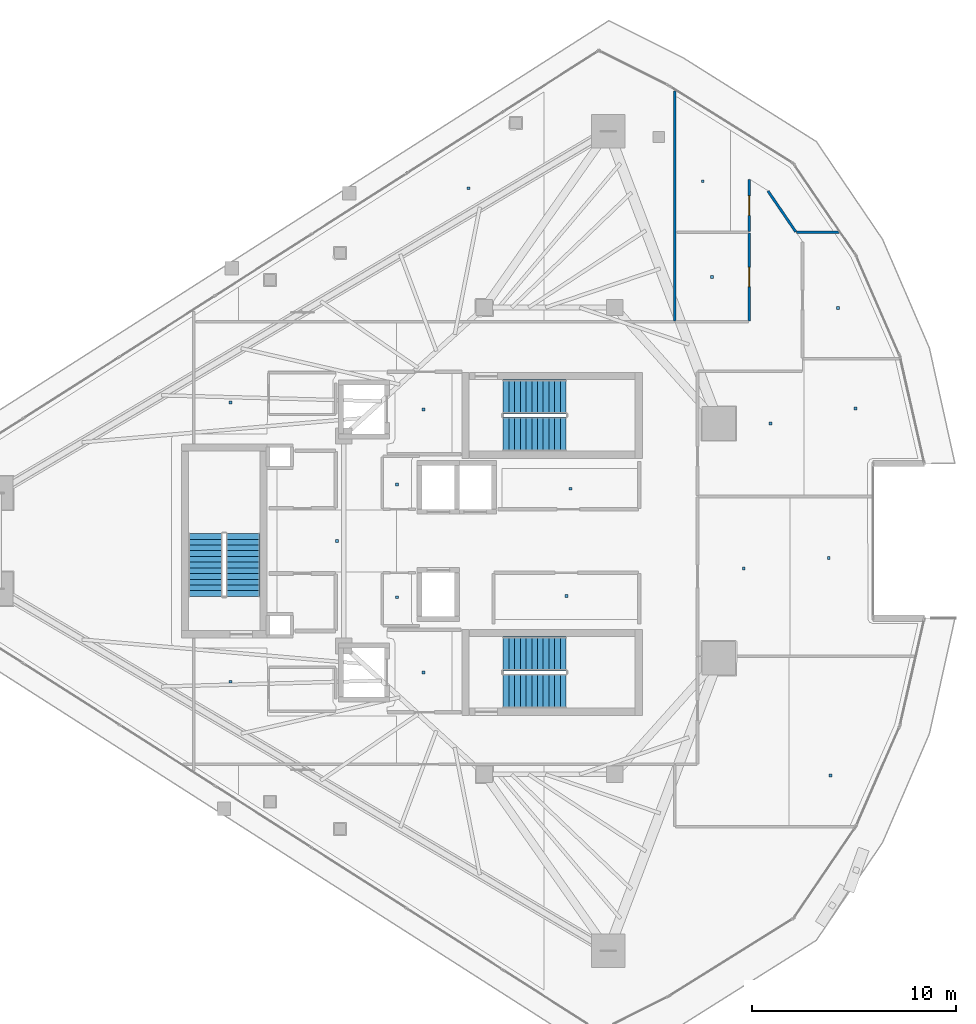
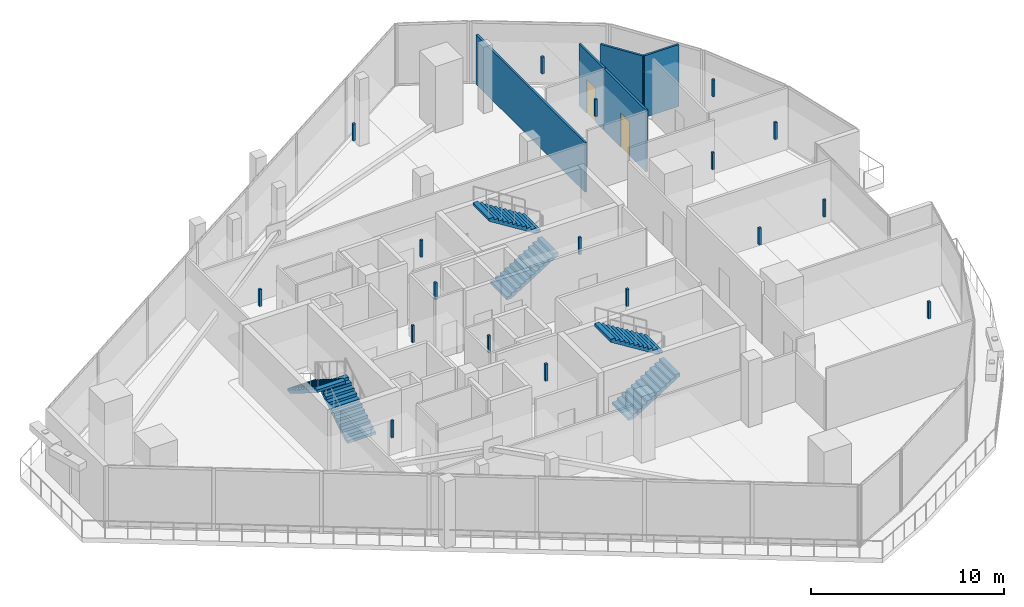
# One storey, part 27 of 34: 18 discrete accessories, 6 stair flights, 5 walls, 2 doors, 2 openings, 3 elements without a shape of their own.
"""IFC4 building model written with IfcOpenShell, lengths in metres."""

from ifc_helpers import new_model, si_unit, direction, frame, frame_2d, origin, origin_2d, place, context, subcontext, project, spatial, polyline, rectangle, outline, extrude, material, layer, layer_set, type_object, element, fill, aggregate, save


model = new_model("IFC4")

# Units and contexts
model_context = context("Model", 3, precision=1e-05, world=origin(), true_north=direction((0.0, 1.0)))
body_context = subcontext(model_context, "Body", "Model", "MODEL_VIEW")
ifc_project = project(units=[si_unit("LENGTHUNIT", "METRE"), si_unit("AREAUNIT", "SQUARE_METRE"), si_unit("VOLUMEUNIT", "CUBIC_METRE"), si_unit("PLANEANGLEUNIT", "RADIAN"), si_unit("MASSUNIT", "GRAM", prefix="KILO")], contexts=[model_context])

# Site, building, storey
site_placement = place(None, origin())
site = spatial("IfcSite", under=ifc_project, at=site_placement, CompositionType="ELEMENT")
building_placement = place(site_placement, origin())
building = spatial("IfcBuilding", under=site, at=building_placement, Name="Qorvath Tower", CompositionType="ELEMENT")
storey_placement = place(building_placement, frame((0.0, 0.0, 276.60009765625)))
storey = spatial("IfcBuildingStorey", under=building, at=storey_placement, Name="L64", CompositionType="ELEMENT", Elevation=276.60009765625)

# Walls
ifc_material_1 = material(Name="Gypsum board on metal studs with mineral wool", Category="gypsum")
ifc_layer_1 = layer(ifc_material_1, 0.125)
ifc_layer_set_1 = layer_set([ifc_layer_1], Name="IW-PART-125")
wall_type = type_object("IfcWallType", Name="IW-PART-125", PredefinedType="PARTITIONING", material=ifc_layer_set_1)
wall_1_placement = place(storey_placement, frame((-14.25, 10.783203125, 0.0), z_axis=(0.0, 0.0, 1.0), x_axis=(0.0, 1.0, 0.0)))
element("IfcWall", 1, at=wall_1_placement, inside=storey, type_object=wall_type, Name="Interior Partition IW-T1-L64-036", PredefinedType="PARTITIONING", context=body_context, shape_type="SweptSolid", body=[
    extrude(rectangle(XDim=11.279541015625, YDim=0.125, at=frame_2d((5.6396484375, 0.0))), origin(), (0.0, 0.0, 1.0), 3.1298828125),
])
wall_2_placement = place(storey_placement, frame((-6.2138671875, 15.133544921875, 0.0), z_axis=(0.0, 0.0, 1.0), x_axis=(-1.0, 0.0, 0.0)))
element("IfcWall", 2, at=wall_2_placement, inside=storey, type_object=wall_type, Name="Interior Partition IW-T1-L64-045", PredefinedType="PARTITIONING", context=body_context, shape_type="SweptSolid", body=[
    extrude(rectangle(XDim=2.063720703125, YDim=0.125, at=frame_2d((1.03173828125, 0.0))), origin(), (0.0, 0.0, 1.0), 3.909912109375),
])

# Wall, opening, door
wall_3_placement = place(storey_placement, frame((-10.60791015625, 10.783203125, 0.0), z_axis=(0.0, 0.0, 1.0), x_axis=(0.0, 1.0, 0.0)))
wall_3 = element("IfcWall", 3, at=wall_3_placement, inside=storey, type_object=wall_type, Name="Interior Partition IW-T1-L64-048", PredefinedType="PARTITIONING", context=body_context, shape_type="SweptSolid", body=[
    extrude(rectangle(XDim=4.3251953125, YDim=0.125, at=frame_2d((2.16259765625, 0.0))), origin(), (0.0, 0.0, 1.0), 3.909912109375),
])
opening_1_placement = place(wall_3_placement, frame((1.6875, 0.0, 0.0)))
opening_1 = element("IfcOpeningElement", 4, at=opening_1_placement, cuts=wall_3, Name="Opening D-T1-L64-13", PredefinedType="OPENING", context=body_context, shape_type="SweptSolid", body=[
    extrude(rectangle(XDim=0.949951171875, YDim=2.14990234375, at=frame_2d((0.47509765625, 1.074951171875))), frame((0.0, 0.072509765625, 0.0), z_axis=(0.0, -1.0, 0.0), x_axis=(1.0, 0.0, 0.0)), (0.0, 0.0, 1.0), 0.14501953125),
])
ifc_material_2 = material(Name="Solid-core American white oak veneer", Category="wood")
door_type = type_object("IfcDoorType", Name="D-01", OperationType="NOTDEFINED", PredefinedType="DOOR", material=ifc_material_2)
door_1_placement = place(opening_1_placement, origin())
door_1 = element("IfcDoor", 5, at=door_1_placement, inside=storey, type_object=door_type, Name="L64-06 Design Pin-Up Atelier Door D-T1-L64-13", OperationType="SINGLE_SWING_LEFT", OverallHeight=2.14990234375, OverallWidth=0.949951171875, PredefinedType="DOOR", context=body_context, shape_type="SweptSolid", body=[
    extrude(rectangle(XDim=0.949951171875, YDim=2.14990234375, at=frame_2d((0.47509765625, 1.074951171875))), frame((0.0, 0.02490234375, 0.0), z_axis=(0.0, -1.0, 0.0), x_axis=(1.0, 0.0, 0.0)), (0.0, 0.0, 1.0), 0.050048828125),
])
fill(opening_1, door_1)

wall_4_placement = place(storey_placement, frame((-10.60791015625, 15.16650390625, 0.0), z_axis=(0.0, 0.0, 1.0), x_axis=(0.0, 1.0, 0.0)))
wall_4 = element("IfcWall", 6, at=wall_4_placement, inside=storey, type_object=wall_type, Name="Interior Partition IW-T1-L64-050", PredefinedType="PARTITIONING", context=body_context, shape_type="SweptSolid", body=[
    extrude(rectangle(XDim=2.55908203125, YDim=0.125, at=frame_2d((1.279541015625, 0.0))), origin(), (0.0, 0.0, 1.0), 3.909912109375),
])
opening_2_placement = place(wall_4_placement, frame((0.804443359375, 0.0, 0.0)))
opening_2 = element("IfcOpeningElement", 7, at=opening_2_placement, cuts=wall_4, Name="Opening D-T1-L64-17", PredefinedType="OPENING", context=body_context, shape_type="SweptSolid", body=[
    extrude(rectangle(XDim=0.949951171875, YDim=2.14990234375, at=frame_2d((0.47509765625, 1.074951171875))), frame((0.0, 0.072509765625, 0.0), z_axis=(0.0, -1.0, 0.0), x_axis=(1.0, 0.0, 0.0)), (0.0, 0.0, 1.0), 0.14501953125),
])
door_2_placement = place(opening_2_placement, origin())
door_2 = element("IfcDoor", 8, at=door_2_placement, inside=storey, type_object=door_type, Name="L64-07 Executive Partner Office Door D-T1-L64-17", OperationType="SINGLE_SWING_LEFT", OverallHeight=2.14990234375, OverallWidth=0.949951171875, PredefinedType="DOOR", context=body_context, shape_type="SweptSolid", body=[
    extrude(rectangle(XDim=0.949951171875, YDim=2.14990234375, at=frame_2d((0.47509765625, 1.074951171875))), frame((0.0, 0.02490234375, 0.0), z_axis=(0.0, -1.0, 0.0), x_axis=(1.0, 0.0, 0.0)), (0.0, 0.0, 1.0), 0.050048828125),
])
fill(opening_2, door_2)

# Wall
wall_5_placement = place(storey_placement, frame((-8.322021484375, 15.162353515625, 0.0), z_axis=(0.0, 0.0, 1.0), x_axis=(-0.563220914523, 0.826306360525, 0.0)))
element("IfcWall", 9, at=wall_5_placement, inside=storey, type_object=wall_type, Name="Interior Partition IW-T1-L64-051", PredefinedType="PARTITIONING", context=body_context, shape_type="SweptSolid", body=[
    extrude(rectangle(XDim=2.41845703125, YDim=0.125, at=frame_2d((1.209228515625, 0.0))), origin(), (0.0, 0.0, 1.0), 3.909912109375),
])

# Stair, stair flights
ifc_material_3 = material(Name="Concrete C50/60", Category="concrete")
stair_type = type_object("IfcStairType", Name="ST-H420", PredefinedType="HALF_TURN_STAIR", material=ifc_material_3)
stair_1_placement = place(storey_placement, origin())
stair_1 = element("IfcStair", 10, at=stair_1_placement, inside=storey, type_object=stair_type, Name="L64 Tower Exit Stair 1", PredefinedType="HALF_TURN_STAIR")
ifc_material_4 = material(Name="Concrete C50/60", Category="concrete")
ifc_layer_2 = layer(ifc_material_4, 0.14990234375)
ifc_layer_set_2 = layer_set([ifc_layer_2], Name="SF-H420")
stair_flight_type = type_object("IfcStairFlightType", Name="SF-H420", PredefinedType="STRAIGHT", material=ifc_layer_set_2)
stair_flight_1_placement = place(storey_placement, frame((-22.669921875, 5.239990234375, 0.0), z_axis=(0.0, 0.0, 1.0), x_axis=(1.0, 0.0, 0.0)))
stair_flight_1 = element("IfcStairFlight", 11, at=stair_flight_1_placement, type_object=stair_flight_type, Name="TS1 flight 1", NumberOfRisers=12, NumberOfTreads=11, PredefinedType="STRAIGHT", RiserHeight=0.175, TreadLength=0.28, context=body_context, shape_type="SweptSolid", body=[
    extrude(outline(polyline([(0.0, 0.0), (0.0, 0.175048828125), (0.280029296875, 0.175048828125), (0.280029296875, 0.35009765625), (0.56005859375, 0.35009765625), (0.56005859375, 0.52490234375), (0.840087890625, 0.52490234375), (0.840087890625, 0.699951171875), (1.1201171875, 0.699951171875), (1.1201171875, 0.875), (1.39990234375, 0.875), (1.39990234375, 1.050048828125), (1.679931640625, 1.050048828125), (1.679931640625, 1.22509765625), (1.9599609375, 1.22509765625), (1.9599609375, 1.39990234375), (2.239990234375, 1.39990234375), (2.239990234375, 1.574951171875), (2.52001953125, 1.574951171875), (2.52001953125, 1.75), (2.800048828125, 1.75), (2.800048828125, 1.925048828125), (3.080078125, 1.925048828125), (3.080078125, 2.10009765625), (3.080078125, 1.748291015625), (0.28271484375, 0.0), (0.0, 0.0)])), frame((0.0, 0.83984375, 0.0), z_axis=(0.0, -1.0, 0.0), x_axis=(1.0, 0.0, 0.0)), (0.0, 0.0, 1.0), 1.679931640625),
])
stair_flight_2_placement = place(storey_placement, frame((-19.590087890625, 7.070068359375, 2.099853515625), z_axis=(0.0, 0.0, 1.0), x_axis=(-1.0, 0.0, 0.0)))
stair_flight_2 = element("IfcStairFlight", 12, at=stair_flight_2_placement, type_object=stair_flight_type, Name="TS1 flight 2", NumberOfRisers=12, NumberOfTreads=11, PredefinedType="STRAIGHT", RiserHeight=0.175, TreadLength=0.28, context=body_context, shape_type="SweptSolid", body=[
    extrude(outline(polyline([(0.0, 0.0), (0.0, 0.175048828125), (0.280029296875, 0.175048828125), (0.280029296875, 0.35009765625), (0.56005859375, 0.35009765625), (0.56005859375, 0.52490234375), (0.840087890625, 0.52490234375), (0.840087890625, 0.699951171875), (1.1201171875, 0.699951171875), (1.1201171875, 0.875), (1.39990234375, 0.875), (1.39990234375, 1.050048828125), (1.679931640625, 1.050048828125), (1.679931640625, 1.22509765625), (1.9599609375, 1.22509765625), (1.9599609375, 1.39990234375), (2.239990234375, 1.39990234375), (2.239990234375, 1.574951171875), (2.52001953125, 1.574951171875), (2.52001953125, 1.75), (2.800048828125, 1.75), (2.800048828125, 1.925048828125), (3.080078125, 1.925048828125), (3.080078125, 2.10009765625), (3.080078125, 1.748291015625), (0.28271484375, 0.0), (0.0, 0.0)])), frame((0.0, 0.83984375, 0.0), z_axis=(0.0, -1.0, 0.0), x_axis=(1.0, 0.0, 0.0)), (0.0, 0.0, 1.0), 1.679931640625),
])
aggregate(stair_1, [stair_flight_1, stair_flight_2])

stair_2_placement = place(storey_placement, origin())
stair_2 = element("IfcStair", 13, at=stair_2_placement, inside=storey, type_object=stair_type, Name="L64 Tower Exit Stair 2", PredefinedType="HALF_TURN_STAIR")
stair_flight_3_placement = place(storey_placement, frame((-22.669921875, -7.360107421875, 0.0), z_axis=(0.0, 0.0, 1.0), x_axis=(1.0, 0.0, 0.0)))
stair_flight_3 = element("IfcStairFlight", 14, at=stair_flight_3_placement, type_object=stair_flight_type, Name="TS2 flight 1", NumberOfRisers=12, NumberOfTreads=11, PredefinedType="STRAIGHT", RiserHeight=0.175, TreadLength=0.28, context=body_context, shape_type="SweptSolid", body=[
    extrude(outline(polyline([(0.0, 0.0), (0.0, 0.175048828125), (0.280029296875, 0.175048828125), (0.280029296875, 0.35009765625), (0.56005859375, 0.35009765625), (0.56005859375, 0.52490234375), (0.840087890625, 0.52490234375), (0.840087890625, 0.699951171875), (1.1201171875, 0.699951171875), (1.1201171875, 0.875), (1.39990234375, 0.875), (1.39990234375, 1.050048828125), (1.679931640625, 1.050048828125), (1.679931640625, 1.22509765625), (1.9599609375, 1.22509765625), (1.9599609375, 1.39990234375), (2.239990234375, 1.39990234375), (2.239990234375, 1.574951171875), (2.52001953125, 1.574951171875), (2.52001953125, 1.75), (2.800048828125, 1.75), (2.800048828125, 1.925048828125), (3.080078125, 1.925048828125), (3.080078125, 2.10009765625), (3.080078125, 1.748291015625), (0.28271484375, 0.0), (0.0, 0.0)])), frame((0.0, 0.83984375, 0.0), z_axis=(0.0, -1.0, 0.0), x_axis=(1.0, 0.0, 0.0)), (0.0, 0.0, 1.0), 1.679931640625),
])
stair_flight_4_placement = place(storey_placement, frame((-19.590087890625, -5.530029296875, 2.099853515625), z_axis=(0.0, 0.0, 1.0), x_axis=(-1.0, 0.0, 0.0)))
stair_flight_4 = element("IfcStairFlight", 15, at=stair_flight_4_placement, type_object=stair_flight_type, Name="TS2 flight 2", NumberOfRisers=12, NumberOfTreads=11, PredefinedType="STRAIGHT", RiserHeight=0.175, TreadLength=0.28, context=body_context, shape_type="SweptSolid", body=[
    extrude(outline(polyline([(0.0, 0.0), (0.0, 0.175048828125), (0.280029296875, 0.175048828125), (0.280029296875, 0.35009765625), (0.56005859375, 0.35009765625), (0.56005859375, 0.52490234375), (0.840087890625, 0.52490234375), (0.840087890625, 0.699951171875), (1.1201171875, 0.699951171875), (1.1201171875, 0.875), (1.39990234375, 0.875), (1.39990234375, 1.050048828125), (1.679931640625, 1.050048828125), (1.679931640625, 1.22509765625), (1.9599609375, 1.22509765625), (1.9599609375, 1.39990234375), (2.239990234375, 1.39990234375), (2.239990234375, 1.574951171875), (2.52001953125, 1.574951171875), (2.52001953125, 1.75), (2.800048828125, 1.75), (2.800048828125, 1.925048828125), (3.080078125, 1.925048828125), (3.080078125, 2.10009765625), (3.080078125, 1.748291015625), (0.28271484375, 0.0), (0.0, 0.0)])), frame((0.0, 0.83984375, 0.0), z_axis=(0.0, -1.0, 0.0), x_axis=(1.0, 0.0, 0.0)), (0.0, 0.0, 1.0), 1.679931640625),
])
aggregate(stair_2, [stair_flight_3, stair_flight_4])

stair_3_placement = place(storey_placement, origin())
stair_3 = element("IfcStair", 16, at=stair_3_placement, inside=storey, type_object=stair_type, Name="L64 Tower Exit Stair 3", PredefinedType="HALF_TURN_STAIR")
stair_flight_5_placement = place(storey_placement, frame((-35.43994140625, -2.719970703125, 0.0), z_axis=(0.0, 0.0, 1.0), x_axis=(0.0, 1.0, 0.0)))
stair_flight_5 = element("IfcStairFlight", 17, at=stair_flight_5_placement, type_object=stair_flight_type, Name="TS3 flight 1", NumberOfRisers=12, NumberOfTreads=11, PredefinedType="STRAIGHT", RiserHeight=0.175, TreadLength=0.28, context=body_context, shape_type="SweptSolid", body=[
    extrude(outline(polyline([(0.0, 0.0), (0.0, 0.175048828125), (0.280029296875, 0.175048828125), (0.280029296875, 0.35009765625), (0.56005859375, 0.35009765625), (0.56005859375, 0.52490234375), (0.840087890625, 0.52490234375), (0.840087890625, 0.699951171875), (1.1201171875, 0.699951171875), (1.1201171875, 0.875), (1.39990234375, 0.875), (1.39990234375, 1.050048828125), (1.679931640625, 1.050048828125), (1.679931640625, 1.22509765625), (1.9599609375, 1.22509765625), (1.9599609375, 1.39990234375), (2.239990234375, 1.39990234375), (2.239990234375, 1.574951171875), (2.52001953125, 1.574951171875), (2.52001953125, 1.75), (2.800048828125, 1.75), (2.800048828125, 1.925048828125), (3.080078125, 1.925048828125), (3.080078125, 2.10009765625), (3.080078125, 1.748291015625), (0.28271484375, 0.0), (0.0, 0.0)])), frame((0.0, 0.83984375, 0.0), z_axis=(0.0, -1.0, 0.0), x_axis=(1.0, 0.0, 0.0)), (0.0, 0.0, 1.0), 1.679931640625),
])
stair_flight_6_placement = place(storey_placement, frame((-37.27001953125, 0.360107421875, 2.099853515625), z_axis=(0.0, 0.0, 1.0), x_axis=(0.0, -1.0, 0.0)))
stair_flight_6 = element("IfcStairFlight", 18, at=stair_flight_6_placement, type_object=stair_flight_type, Name="TS3 flight 2", NumberOfRisers=12, NumberOfTreads=11, PredefinedType="STRAIGHT", RiserHeight=0.175, TreadLength=0.28, context=body_context, shape_type="SweptSolid", body=[
    extrude(outline(polyline([(0.0, 0.0), (0.0, 0.175048828125), (0.280029296875, 0.175048828125), (0.280029296875, 0.35009765625), (0.56005859375, 0.35009765625), (0.56005859375, 0.52490234375), (0.840087890625, 0.52490234375), (0.840087890625, 0.699951171875), (1.1201171875, 0.699951171875), (1.1201171875, 0.875), (1.39990234375, 0.875), (1.39990234375, 1.050048828125), (1.679931640625, 1.050048828125), (1.679931640625, 1.22509765625), (1.9599609375, 1.22509765625), (1.9599609375, 1.39990234375), (2.239990234375, 1.39990234375), (2.239990234375, 1.574951171875), (2.52001953125, 1.574951171875), (2.52001953125, 1.75), (2.800048828125, 1.75), (2.800048828125, 1.925048828125), (3.080078125, 1.925048828125), (3.080078125, 2.10009765625), (3.080078125, 1.748291015625), (0.28271484375, 0.0), (0.0, 0.0)])), frame((0.0, 0.83984375, 0.0), z_axis=(0.0, -1.0, 0.0), x_axis=(1.0, 0.0, 0.0)), (0.0, 0.0, 1.0), 1.679931640625),
])
aggregate(stair_3, [stair_flight_5, stair_flight_6])

# Discrete accessories
ifc_material_5 = material(Name="Galvanised steel bracket", Category="steel")
discrete_accessory_type = type_object("IfcDiscreteAccessoryType", Name="DA-BRACKET", PredefinedType="BRACKET", material=ifc_material_5)
for number, where, z_axis, x_axis, name in (
    (19, (-26.590087890625, 6.449951171875, 2.85986328125), (0.0, 0.0, 1.0), (1.0, 0.0, 0.0), "Acoustic Ceiling Suspension Hanger T1-L64-001"),
    (20, (-26.590087890625, -6.449951171875, 2.85986328125), (0.0, 0.0, 1.0), (1.0, 0.0, 0.0), "Acoustic Ceiling Suspension Hanger T1-L64-002"),
    (21, (-19.37255859375, 2.5625, 2.85986328125), (0.0, 0.0, 1.0), (1.0, 0.0, 0.0), "Acoustic Ceiling Suspension Hanger T1-L64-003"),
    (22, (-19.574951171875, -2.70751953125, 2.85986328125), (0.0, 0.0, 1.0), (1.0, 0.0, 0.0), "Acoustic Ceiling Suspension Hanger T1-L64-004"),
    (23, (-27.87744140625, 2.762451171875, 2.85986328125), (0.0, 0.0, 1.0), (1.0, 0.0, 0.0), "Acoustic Ceiling Suspension Hanger T1-L64-005"),
    (24, (-27.87744140625, -2.762451171875, 2.85986328125), (0.0, 0.0, 1.0), (1.0, 0.0, 0.0), "Acoustic Ceiling Suspension Hanger T1-L64-006"),
    (25, (-36.04150390625, -6.907958984375, 2.85986328125), (0.0, 0.0, 1.0), (1.0, 0.0, 0.0), "Acoustic Ceiling Suspension Hanger T1-L64-011"),
    (26, (-36.040283203125, 6.782470703125, 2.85986328125), (0.0, 0.0, 1.0), (1.0, 0.0, 0.0), "Acoustic Ceiling Suspension Hanger T1-L64-012"),
    (27, (-30.8291015625, 0.0, 2.85986328125), (0.0, 0.0, 1.0), (1.0, 0.0, 0.0), "Acoustic Ceiling Suspension Hanger T1-L64-013"),
    (28, (-24.370361328125, 17.30078125, 2.85986328125), (0.0, 0.0, 1.0), (1.0, 0.0, 0.0), "Acoustic Ceiling Suspension Hanger T1-L64-015"),
    (29, (-6.614013671875, -11.50048828125, 2.85986328125), (0.0, 0.0, 1.0), (1.0, 0.0, 0.0), "Acoustic Ceiling Suspension Hanger T1-L64-018"),
    (30, (-10.875, -1.346923828125, 2.85986328125), (0.0, 0.0, 1.0), (1.0, 0.0, 0.0), "Acoustic Ceiling Suspension Hanger T1-L64-019"),
    (31, (-6.7021484375, -0.830322265625, 2.85986328125), (0.0, 0.0, 1.0), (1.0, 0.0, 0.0), "Acoustic Ceiling Suspension Hanger T1-L64-020"),
    (32, (-9.569091796875, 5.7578125, 2.85986328125), (0.0, 0.0, 1.0), (1.0, 0.0, 0.0), "Acoustic Ceiling Suspension Hanger T1-L64-021"),
    (33, (-5.3994140625, 6.491943359375, 2.85986328125), (0.0, 0.0, 1.0), (1.0, 0.0, 0.0), "Acoustic Ceiling Suspension Hanger T1-L64-022"),
    (34, (-6.25830078125, 11.430419921875, 2.85986328125), (0.0, 0.0, 1.0), (1.0, 0.0, 0.0), "Acoustic Ceiling Suspension Hanger T1-L64-023"),
    (35, (-12.425048828125, 12.94580078125, 2.85986328125), (0.0, 0.0, 1.0), (1.0, 0.0, 0.0), "Acoustic Ceiling Suspension Hanger T1-L64-024"),
    (36, (-12.88427734375, 17.64404296875, 2.85986328125), (0.0, 0.0, 1.0), (1.0, 0.0, 0.0), "Acoustic Ceiling Suspension Hanger T1-L64-025"),
):
    element("IfcDiscreteAccessory", number, at=place(storey_placement, frame(where, z_axis=z_axis, x_axis=x_axis)), inside=storey, type_object=discrete_accessory_type, Name=name, PredefinedType="NOTDEFINED", context=body_context, shape_type="SweptSolid", body=[
        extrude(rectangle(XDim=0.139892578125, YDim=0.139892578125, at=origin_2d()), origin(), (0.0, 0.0, 1.0), 1.080078125),
    ])

save(model, "model.ifc")
